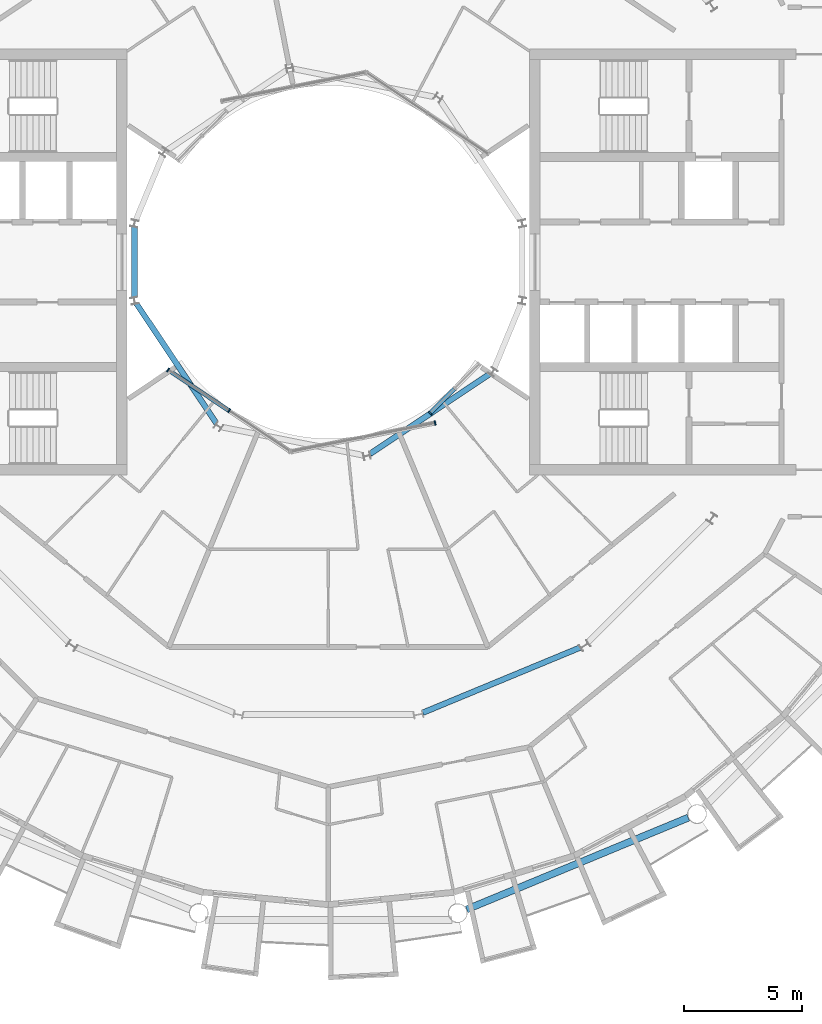
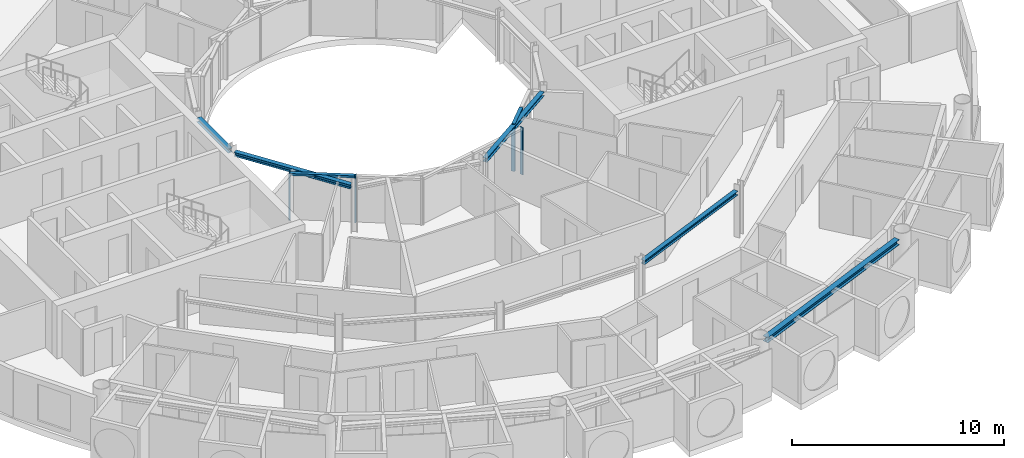
# One storey, part 7 of 27: 6 members, 5 beams, 3 elements without a shape of their own.
"""IFC4 building model written with IfcOpenShell, lengths in metres."""

import ifcopenshell
import ifcopenshell.guid

model = None  # the IFC model being written
_history = None  # IfcOwnerHistory: only IFC2X3 demands one
_inside = {}  # id of a spatial element -> (the spatial element, [elements in it])
_under = {}  # id of a project, library or spatial element -> (it, [spatial elements below it])
_declared = {}  # id of a project -> (the project, [libraries it declares])
_typed = {}  # id of a type object -> (the type object, [elements of that type])
_made_of = {}  # id of a material, layer set ... -> (it, [elements and type objects made of it])


def new_model(schema):
    """Start an empty IFC model of exactly this schema.

    Asked for "IFC4X3", IfcOpenShell would pick the latest addendum, in which some entities
    have other attributes; the version numbers below select the first issue.
    IFC2X3 requires an IfcOwnerHistory on every rooted entity: one is made here for all.
    """
    global model, _history
    if schema == "IFC4X3":
        model = ifcopenshell.file(schema_version=(4, 3, 0, 0))
    else:
        model = ifcopenshell.file(schema=schema)
    _inside.clear()
    _under.clear()
    _declared.clear()
    _typed.clear()
    _made_of.clear()
    _history = None
    if model.schema == "IFC2X3":
        org = make("IfcOrganization", Name="unknown")
        user = make(
            "IfcPersonAndOrganization",
            ThePerson=make("IfcPerson", FamilyName="unknown"),
            TheOrganization=org,
        )
        app = make(
            "IfcApplication",
            ApplicationDeveloper=org,
            Version="unknown",
            ApplicationFullName="unknown",
            ApplicationIdentifier="unknown",
        )
        _history = make(
            "IfcOwnerHistory",
            OwningUser=user,
            OwningApplication=app,
            ChangeAction="ADDED",
            CreationDate=0,
        )
    return model


def make(cls, **values):
    """One entity of the class cls with the attributes given. An attribute that is None is left unset."""
    return model.create_entity(
        cls, **{name: value for name, value in values.items() if value is not None}
    )


def rooted(cls, **values):
    """An entity with a GlobalId (a new one), such as an element, a storey or a relation."""
    return make(cls, GlobalId=ifcopenshell.guid.new(), OwnerHistory=_history, **values)


def si_unit(unit_type, name, prefix=None):
    """IfcSIUnit, for example si_unit("LENGTHUNIT", "METRE", prefix="MILLI")."""
    return make("IfcSIUnit", UnitType=unit_type, Prefix=prefix, Name=name)


def assignment(units):
    """IfcUnitAssignment: the units of a project."""
    return None if units is None else make("IfcUnitAssignment", Units=units)


def point(xyz):
    """IfcCartesianPoint."""
    return None if xyz is None else make("IfcCartesianPoint", Coordinates=xyz)


def direction(xyz):
    """IfcDirection."""
    return None if xyz is None else make("IfcDirection", DirectionRatios=xyz)


def frame(location, z_axis=None, x_axis=None):
    """IfcAxis2Placement3D, a coordinate frame: its origin and axes. An axis left out is left unset."""
    return make(
        "IfcAxis2Placement3D",
        Location=point(location),
        Axis=direction(z_axis),
        RefDirection=direction(x_axis),
    )


def frame_2d(location, x_axis=None):
    """IfcAxis2Placement2D, a coordinate frame in the plane: its origin and x axis."""
    return make(
        "IfcAxis2Placement2D", Location=point(location), RefDirection=direction(x_axis)
    )


def origin():
    """The frame at (0, 0, 0) with its axes left unset."""
    return frame((0.0, 0.0, 0.0))


def origin_2d():
    """The frame at (0, 0) in the plane with its x axis left unset."""
    return frame_2d((0.0, 0.0))


def place(relative_to, where):
    """IfcLocalPlacement: puts the frame where relative to a parent placement (None: the world)."""
    return make(
        "IfcLocalPlacement", PlacementRelTo=relative_to, RelativePlacement=where
    )


def context(
    kind, dimensions, precision=None, world=None, true_north=None, identifier=None
):
    """IfcGeometricRepresentationContext, for example the 3D "Model" context."""
    return make(
        "IfcGeometricRepresentationContext",
        ContextIdentifier=identifier,
        ContextType=kind,
        CoordinateSpaceDimension=dimensions,
        Precision=precision,
        WorldCoordinateSystem=world,
        TrueNorth=true_north,
    )


def subcontext(parent, identifier, kind, view, scale=None):
    """IfcGeometricRepresentationSubContext, for example "Body" below "Model"."""
    return make(
        "IfcGeometricRepresentationSubContext",
        ContextIdentifier=identifier,
        ContextType=kind,
        ParentContext=parent,
        TargetScale=scale,
        TargetView=view,
    )


def project(units=None, contexts=None):
    """IfcProject with its units and contexts."""
    return rooted(
        "IfcProject",
        Name="project",
        RepresentationContexts=contexts,
        UnitsInContext=assignment(units),
    )


def spatial(cls, under=None, at=None, **own):
    """A site, building, storey or space (cls), placed at a placement, below another one or the project."""
    s = rooted(cls, ObjectPlacement=at, **own)
    if under is not None:
        _under.setdefault(under.id(), (under, []))[1].append(s)
    return s


def profile(cls, at=None, kind="AREA", **sizes):
    """A parametric profile (cls). Its sizes go by their IFC names, for example OverallWidth=200.0."""
    return make(cls, ProfileType=kind, Position=at, **sizes)


def rectangle(**sizes):
    """IfcRectangleProfileDef."""
    return profile("IfcRectangleProfileDef", **sizes)


def i_section(**sizes):
    """IfcIShapeProfileDef."""
    return profile("IfcIShapeProfileDef", **sizes)


def extrude(swept, where, along, depth):
    """IfcExtrudedAreaSolid: the profile swept, set in the frame where, extruded along a direction by depth."""
    return make(
        "IfcExtrudedAreaSolid",
        SweptArea=swept,
        Position=where,
        ExtrudedDirection=direction(along),
        Depth=depth,
    )


def shape(context_of_items, identifier, shape_type, items):
    """IfcShapeRepresentation: the items that make up one representation, for example the "Body"."""
    return make(
        "IfcShapeRepresentation",
        ContextOfItems=context_of_items,
        RepresentationIdentifier=identifier,
        RepresentationType=shape_type,
        Items=items,
    )


def material(Name=None, Category=None):
    """IfcMaterial."""
    return make("IfcMaterial", Name=Name, Category=Category)


def layer(
    of_material, thickness, ventilated=None, Name=None, Category=None, Priority=None
):
    """IfcMaterialLayer: one layer of a wall or slab, of a material (None: an air gap)."""
    return make(
        "IfcMaterialLayer",
        Material=of_material,
        LayerThickness=thickness,
        IsVentilated=ventilated,
        Name=Name,
        Category=Category,
        Priority=Priority,
    )


def layer_set(layers, Name=None):
    """IfcMaterialLayerSet."""
    return make("IfcMaterialLayerSet", MaterialLayers=layers, LayerSetName=Name)


def material_profile(
    of_material, cross_section, Name=None, Category=None, Priority=None
):
    """IfcMaterialProfile: a cross section and its material."""
    return make(
        "IfcMaterialProfile",
        Name=Name,
        Material=of_material,
        Profile=cross_section,
        Priority=Priority,
        Category=Category,
    )


def profile_set(profiles, Name=None, composite=None):
    """IfcMaterialProfileSet."""
    return make(
        "IfcMaterialProfileSet",
        Name=Name,
        MaterialProfiles=profiles,
        CompositeProfile=composite,
    )


def made_of(thing, what):
    """Note that an element or type object is made of a material, layer set ...; save() writes the relation."""
    if what is not None:
        _made_of.setdefault(what.id(), (what, []))[1].append(thing)
    return thing


def type_object(cls, material=None, **own):
    """A type object (cls), such as IfcWallType, which elements share."""
    return made_of(rooted(cls, **own), material)


def element(
    cls,
    number,
    at=None,
    inside=None,
    cuts=None,
    type_object=None,
    material=None,
    context=None,
    identifier="Body",
    shape_type=None,
    held_by="IfcProductDefinitionShape",
    body=None,
    shapes=None,
    **own,
):
    """One element of the class cls, such as IfcWall. Its Tag is "e" and its number.

    at: its placement. inside: the storey or other place that contains it. cuts: it is an
    opening in that element (IfcRelVoidsElement). A single representation is given by context,
    identifier, shape_type and body (its items); several are given by shapes. held_by: the class
    of the entity that holds the representations. save() writes the other relations.
    """
    e = rooted(cls, Tag="e%d" % number, ObjectPlacement=at, **own)
    if body is not None:
        shapes = [shape(context, identifier, shape_type, body)]
    if shapes is not None:
        e.Representation = make(held_by, Representations=shapes)
    if inside is not None:
        _inside.setdefault(inside.id(), (inside, []))[1].append(e)
    if cuts is not None:
        rooted(
            "IfcRelVoidsElement", RelatingBuildingElement=cuts, RelatedOpeningElement=e
        )
    if type_object is not None:
        _typed.setdefault(type_object.id(), (type_object, []))[1].append(e)
    return made_of(e, material)


def aggregate(whole, parts):
    """IfcRelAggregates: a whole, such as a stair, and the parts it consists of."""
    return rooted("IfcRelAggregates", RelatingObject=whole, RelatedObjects=parts)


def save(model, path):
    """Write the relations noted so far, then the file.

    IfcRelAggregates (storeys below a building ...), IfcRelContainedInSpatialStructure (elements
    in a storey), IfcRelDefinesByType, IfcRelAssociatesMaterial and IfcRelDeclares: one each for
    every whole, place, type object, material and project.
    """
    for whole, parts in _under.values():
        aggregate(whole, parts)
    for where, things in _inside.values():
        rooted(
            "IfcRelContainedInSpatialStructure",
            RelatedElements=things,
            RelatingStructure=where,
        )
    for kind, things in _typed.values():
        rooted("IfcRelDefinesByType", RelatedObjects=things, RelatingType=kind)
    for what, things in _made_of.values():
        rooted("IfcRelAssociatesMaterial", RelatedObjects=things, RelatingMaterial=what)
    for by, libraries in _declared.values():
        rooted("IfcRelDeclares", RelatingContext=by, RelatedDefinitions=libraries)
    model.write(path)


model = new_model("IFC4")

# Units and contexts
model_context = context("Model", 3, precision=1e-05, world=origin(), true_north=direction((0.0, 1.0)))
body_context = subcontext(model_context, "Body", "Model", "MODEL_VIEW")
ifc_project = project(units=[si_unit("LENGTHUNIT", "METRE"), si_unit("AREAUNIT", "SQUARE_METRE"), si_unit("VOLUMEUNIT", "CUBIC_METRE"), si_unit("PLANEANGLEUNIT", "RADIAN"), si_unit("MASSUNIT", "GRAM", prefix="KILO")], contexts=[model_context])

# Site, building, storey
site_placement = place(None, origin())
site = spatial("IfcSite", under=ifc_project, at=site_placement, CompositionType="ELEMENT")
building_placement = place(site_placement, origin())
building = spatial("IfcBuilding", under=site, at=building_placement, Name="Maasbend Ring Residences", CompositionType="ELEMENT")
storey_placement = place(building_placement, frame((0.0, 0.0, 199.35009765625)))
storey = spatial("IfcBuildingStorey", under=building, at=storey_placement, Name="L57", CompositionType="ELEMENT", Elevation=199.35009765625)

# Curtain wall, members
ifc_material_1 = material(Name="Aluminium and clear glass", Category="aluminium")
ifc_layer = layer(ifc_material_1, 0.179931640625)
ifc_layer_set = layer_set([ifc_layer], Name="CW-W")
curtain_wall_type = type_object("IfcCurtainWallType", Name="CW-W", PredefinedType="NOTDEFINED", material=ifc_layer_set)
curtain_wall_1_placement = place(storey_placement, origin())
curtain_wall_1 = element("IfcCurtainWall", 1, at=curtain_wall_1_placement, inside=storey, type_object=curtain_wall_type, Name="Well curtain wall S1", PredefinedType="NOTDEFINED")
ifc_material_2 = material(Name="Aluminium 6063-T6", Category="aluminium")
ifc_material_profile_1 = material_profile(ifc_material_2, rectangle(XDim=0.179931640625, YDim=0.06005859375, at=origin_2d()), Name="AL 180x60")
ifc_profile_set_1 = profile_set([ifc_material_profile_1], Name="Aluminium 6063-T6")
member_type_1 = type_object("IfcMemberType", Name="CWM-W", PredefinedType="MULLION", material=ifc_profile_set_1)
member_1_placement = place(storey_placement, frame((-6.805908203125, -4.580810546875, 0.0), z_axis=(0.0, 0.0, 1.0), x_axis=(0.55557023302, 0.831469612303, 0.0)))
member_1 = element("IfcMember", 2, at=member_1_placement, type_object=member_type_1, Name="Mullion well face", PredefinedType="MULLION", context=body_context, shape_type="SweptSolid", body=[
    extrude(rectangle(XDim=0.179931640625, YDim=0.06005859375, at=origin_2d()), origin(), (0.0, 0.0, 1.0), 2.699951171875),
])
member_2_placement = place(storey_placement, frame((-4.216796875, -6.310791015625, 0.0), z_axis=(0.0, 0.0, 1.0), x_axis=(0.55557023302, 0.831469612303, 0.0)))
member_2 = element("IfcMember", 3, at=member_2_placement, type_object=member_type_1, Name="Mullion well face", PredefinedType="MULLION", context=body_context, shape_type="SweptSolid", body=[
    extrude(rectangle(XDim=0.179931640625, YDim=0.06005859375, at=origin_2d()), origin(), (0.0, 0.0, 1.0), 2.699951171875),
])

# Curtain wall, member
curtain_wall_2_placement = place(storey_placement, origin())
curtain_wall_2 = element("IfcCurtainWall", 4, at=curtain_wall_2_placement, inside=storey, type_object=curtain_wall_type, Name="Well curtain wall S2", PredefinedType="NOTDEFINED")
member_3_placement = place(storey_placement, frame((4.53466796875, -6.836669921875, 0.0), z_axis=(0.0, 0.0, 1.0), x_axis=(-0.195090322016, 0.980785280403, 0.0)))
member_3 = element("IfcMember", 5, at=member_3_placement, type_object=member_type_1, Name="Mullion well face", PredefinedType="MULLION", context=body_context, shape_type="SweptSolid", body=[
    extrude(rectangle(XDim=0.179931640625, YDim=0.06005859375, at=origin_2d()), origin(), (0.0, 0.0, 1.0), 2.699951171875),
])
aggregate(curtain_wall_2, [member_3])

curtain_wall_3_placement = place(storey_placement, origin())
curtain_wall_3 = element("IfcCurtainWall", 6, at=curtain_wall_3_placement, inside=storey, type_object=curtain_wall_type, Name="Well curtain wall S3", PredefinedType="NOTDEFINED")
member_4_placement = place(storey_placement, frame((4.320556640625, -6.413330078125, 0.0), z_axis=(0.0, 0.0, 1.0), x_axis=(-0.707106781187, 0.707106781187, 0.0)))
member_4 = element("IfcMember", 7, at=member_4_placement, type_object=member_type_1, Name="Mullion well face", PredefinedType="MULLION", context=body_context, shape_type="SweptSolid", body=[
    extrude(rectangle(XDim=0.179931640625, YDim=0.06005859375, at=origin_2d()), origin(), (0.0, 0.0, 1.0), 2.699951171875),
])

# Member
ifc_material_3 = material(Name="Aluminium 6063-T6", Category="aluminium")
ifc_material_profile_2 = material_profile(ifc_material_3, rectangle(XDim=0.179931640625, YDim=0.1201171875, at=origin_2d()), Name="AL 180x120")
ifc_profile_set_2 = profile_set([ifc_material_profile_2], Name="Aluminium 6063-T6")
member_type_2 = type_object("IfcMemberType", Name="CWT-W", PredefinedType="USERDEFINED", material=ifc_profile_set_2)
member_5_placement = place(storey_placement, frame((-6.781005859375, -4.59765625, 2.639892578125), z_axis=(0.831496422459, -0.555530106689, 0.0), x_axis=(0.555530106689, 0.831496422459, 0.0)))
member_5 = element("IfcMember", 8, at=member_5_placement, type_object=member_type_2, Name="Transom well face", ObjectType="TRANSOM", PredefinedType="USERDEFINED", context=body_context, shape_type="SweptSolid", body=[
    extrude(rectangle(XDim=0.179931640625, YDim=0.1201171875, at=origin_2d()), origin(), (0.0, 0.0, 1.0), 3.053955078125),
])

aggregate(curtain_wall_1, [member_1, member_2, member_5])

member_6_placement = place(storey_placement, frame((4.341796875, -6.39208984375, 2.639892578125), z_axis=(0.707106781187, 0.707106781187, 0.0), x_axis=(-0.707106781187, 0.707106781187, 0.0)))
member_6 = element("IfcMember", 9, at=member_6_placement, type_object=member_type_2, Name="Transom well face", ObjectType="TRANSOM", PredefinedType="USERDEFINED", context=body_context, shape_type="SweptSolid", body=[
    extrude(rectangle(XDim=0.179931640625, YDim=0.1201171875, at=origin_2d()), origin(), (0.0, 0.0, 1.0), 1.419677734375),
])

aggregate(curtain_wall_3, [member_4, member_6])

# Beams
ifc_material_4 = material(Name="Steel S355J2", Category="steel")
ifc_material_profile_3 = material_profile(ifc_material_4, i_section(OverallWidth=0.239990234375, OverallDepth=0.22998046875, WebThickness=0.007568359375, FlangeThickness=0.011962890625, FilletRadius=0.02099609375, at=origin_2d()), Name="HEA 240")
ifc_profile_set_3 = profile_set([ifc_material_profile_3], Name="Steel S355J2")
beam_type_1 = type_object("IfcBeamType", Name="Corridor ring beam HEA 240", PredefinedType="BEAM", material=ifc_profile_set_3)
beam_1_placement = place(storey_placement, frame((4.01220703125, -19.1455078125, 2.5849609375), z_axis=(0.923865162022, 0.382718123952, 0.0), x_axis=(-0.382718123952, 0.923865162022, 0.0)))
element("IfcBeam", 10, at=beam_1_placement, inside=storey, type_object=beam_type_1, Name="Corridor ring beam", PredefinedType="BEAM", context=body_context, shape_type="SweptSolid", body=[
    extrude(i_section(OverallWidth=0.239990234375, OverallDepth=0.22998046875, WebThickness=0.007568359375, FlangeThickness=0.011962890625, FilletRadius=0.02099609375, at=origin_2d()), origin(), (0.0, 0.0, 1.0), 7.23974609375),
])
ifc_material_5 = material(Name="Steel S355J2", Category="steel")
ifc_material_profile_4 = material_profile(ifc_material_5, i_section(OverallWidth=0.300048828125, OverallDepth=0.300048828125, WebThickness=0.010986328125, FlangeThickness=0.01904296875, FilletRadius=0.027099609375, at=origin_2d()), Name="HEB 300")
ifc_profile_set_4 = profile_set([ifc_material_profile_4], Name="Steel S355J2")
beam_type_2 = type_object("IfcBeamType", Name="Spandrel ring beam HEB 300", PredefinedType="SPANDREL", material=ifc_profile_set_4)
beam_2_placement = place(storey_placement, frame((5.877197265625, -27.50244140625, 2.5498046875), z_axis=(0.923883676188, 0.382673428492, 0.0), x_axis=(-0.382673428492, 0.923883676188, 0.0)))
element("IfcBeam", 11, at=beam_2_placement, inside=storey, type_object=beam_type_2, Name="Spandrel ring beam", PredefinedType="SPANDREL", context=body_context, shape_type="SweptSolid", body=[
    extrude(i_section(OverallWidth=0.300048828125, OverallDepth=0.300048828125, WebThickness=0.010986328125, FlangeThickness=0.01904296875, FilletRadius=0.027099609375, at=origin_2d()), origin(), (0.0, 0.0, 1.0), 10.18994140625),
])
ifc_material_6 = material(Name="Steel S355J2", Category="steel")
ifc_material_profile_5 = material_profile(ifc_material_6, i_section(OverallWidth=0.239990234375, OverallDepth=0.22998046875, WebThickness=0.007568359375, FlangeThickness=0.011962890625, FilletRadius=0.02099609375, at=origin_2d()), Name="HEA 240")
ifc_profile_set_5 = profile_set([ifc_material_profile_5], Name="Steel S355J2")
beam_type_3 = type_object("IfcBeamType", Name="Well edge beam HEA 240", PredefinedType="BEAM", material=ifc_profile_set_5)
beam_3_placement = place(storey_placement, frame((-8.238525390625, 1.490966796875, 2.5849609375), z_axis=(0.0, -1.0, 0.0), x_axis=(1.0, 0.0, 0.0)))
element("IfcBeam", 12, at=beam_3_placement, inside=storey, type_object=beam_type_3, Name="Well edge beam", PredefinedType="BEAM", context=body_context, shape_type="SweptSolid", body=[
    extrude(i_section(OverallWidth=0.239990234375, OverallDepth=0.22998046875, WebThickness=0.007568359375, FlangeThickness=0.011962890625, FilletRadius=0.02099609375, at=origin_2d()), origin(), (0.0, 0.0, 1.0), 2.98193359375),
])
for number, where, z_axis, x_axis, name in (
    (13, (-8.1513671875, -1.769287109375, 2.5849609375), (0.555584356119, -0.831460175376, 0.0), (0.831460175376, 0.555584356119, 0.0), "Well edge beam"),
    (14, (1.769287109375, -8.1513671875, 2.5849609375), (0.831460175376, 0.555584356119, 0.0), (-0.555584356119, 0.831460175376, 0.0), "Well edge beam"),
):
    element("IfcBeam", number, at=place(storey_placement, frame(where, z_axis=z_axis, x_axis=x_axis)), inside=storey, type_object=beam_type_3, Name=name, PredefinedType="BEAM", context=body_context, shape_type="SweptSolid", body=[
        extrude(i_section(OverallWidth=0.239990234375, OverallDepth=0.22998046875, WebThickness=0.007568359375, FlangeThickness=0.011962890625, FilletRadius=0.02099609375, at=origin_2d()), origin(), (0.0, 0.0, 1.0), 6.115234375),
    ])

save(model, "model.ifc")
